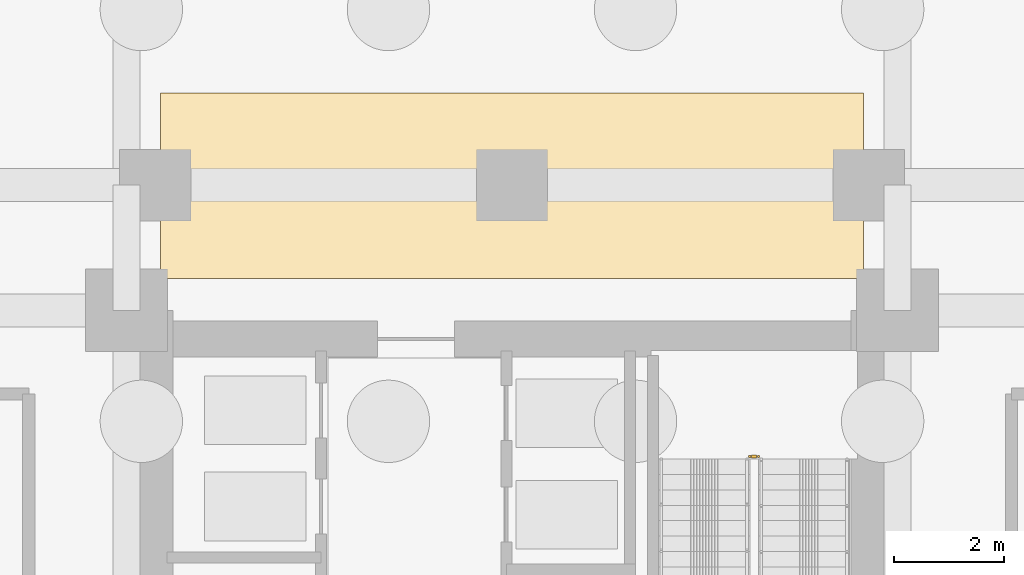
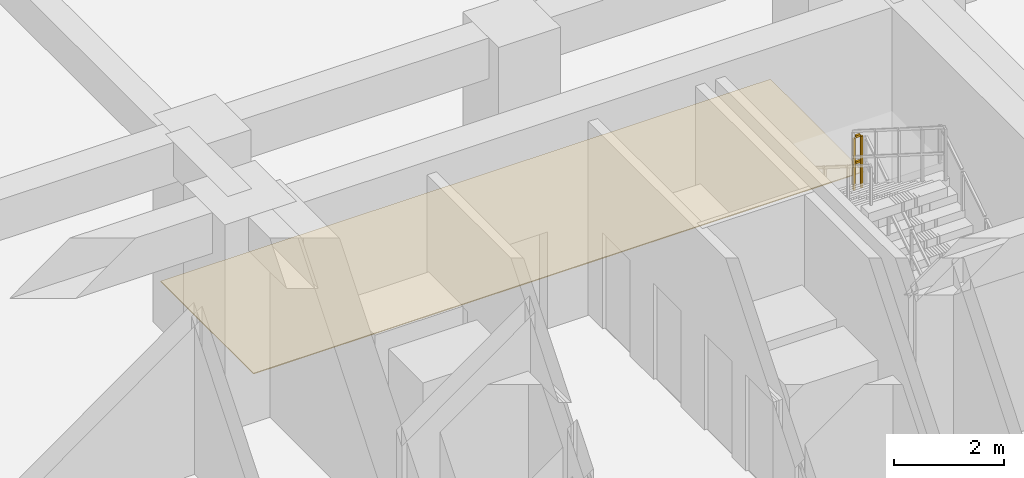
# One storey, part 12 of 14: 1 covering, 1 railing.
"""IFC4 building model written with IfcOpenShell, lengths in metres."""

from ifc_helpers import new_model, si_unit, direction, frame, origin, origin_2d, place, context, subcontext, project, spatial, polyline, rectangle, outline, extrude, material, layer, layer_set, type_object, element, save


model = new_model("IFC4")

# Units and contexts
model_context = context("Model", 3, precision=1e-05, world=origin(), true_north=direction((0.0, 1.0)))
body_context = subcontext(model_context, "Body", "Model", "MODEL_VIEW")
ifc_project = project(units=[si_unit("LENGTHUNIT", "METRE"), si_unit("AREAUNIT", "SQUARE_METRE"), si_unit("VOLUMEUNIT", "CUBIC_METRE"), si_unit("PLANEANGLEUNIT", "RADIAN"), si_unit("MASSUNIT", "GRAM", prefix="KILO")], contexts=[model_context])

# Site, building, storey
site_placement = place(None, origin())
site = spatial("IfcSite", under=ifc_project, at=site_placement, CompositionType="ELEMENT")
building_placement = place(site_placement, origin())
building = spatial("IfcBuilding", under=site, at=building_placement, Name="Saelheon Loggia Tower", CompositionType="ELEMENT")
storey_placement = place(building_placement, frame((0.0, 0.0, -9.199951171875)))
storey = spatial("IfcBuildingStorey", under=building, at=storey_placement, Name="B2", CompositionType="ELEMENT", Elevation=-9.199951171875)

# Covering
ifc_material_1 = material(Name="Vitrified Porcelain Floor Tile", Category="ceramic")
ifc_layer = layer(ifc_material_1, 0.02001953125)
ifc_layer_set = layer_set([ifc_layer], Name="Vitrified Porcelain Floor Tile")
covering_type = type_object("IfcCoveringType", Name="Cov_Floor_Porcelain", PredefinedType="FLOORING", material=ifc_layer_set)
covering_placement = place(storey_placement, origin())
element("IfcCovering", 1, at=covering_placement, inside=storey, type_object=covering_type, Name="B2 Corridor Porcelain Flooring", PredefinedType="FLOORING", context=body_context, shape_type="SweptSolid", body=[
    extrude(outline(polyline([(31.60009765625, 37.10009765625), (44.39990234375, 37.10009765625), (44.39990234375, 40.47998046875), (31.60009765625, 40.47998046875), (31.60009765625, 37.10009765625)])), origin(), (0.0, 0.0, 1.0), 0.02001953125),
])

# Railing
ifc_material_2 = material(Name="Galvanised Steel S275 Stairwell Guardrail", Category="steel")
railing_type = type_object("IfcRailingType", Name="Guard_StairWell_RL_STG", PredefinedType="GUARDRAIL", material=ifc_material_2)
railing_placement = place(storey_placement, frame((42.489990234375, 33.860107421875, 2.300048828125)))
element("IfcRailing", 2, at=railing_placement, inside=storey, type_object=railing_type, Name="B2 ST2 stair guard 2", PredefinedType="GUARDRAIL", context=body_context, shape_type="SweptSolid", body=[
    extrude(rectangle(XDim=0.048095703125, YDim=0.048095703125, at=origin_2d()), frame((-0.033203125, 0.0, 1.17578125), z_axis=(-1.0, 0.0, 0.0), x_axis=(0.0, -1.0, 0.0)), (0.0, 0.0, 1.0), 0.093505859375),
    extrude(rectangle(XDim=0.048095703125, YDim=0.048095703125, at=origin_2d()), frame((-0.033203125, 0.0, 0.60009765625), z_axis=(-1.0, 0.0, 0.0), x_axis=(0.0, -1.0, 0.0)), (0.0, 0.0, 1.0), 0.093505859375),
    extrude(rectangle(XDim=0.0419921875, YDim=0.0419921875, at=origin_2d()), origin(), (0.0, 0.0, 1.0), 1.14794921875),
    extrude(rectangle(XDim=0.0419921875, YDim=0.0419921875, at=origin_2d()), frame((-0.159912109375, 0.0, 0.0)), (0.0, 0.0, 1.0), 1.14794921875),
])

save(model, "model.ifc")
